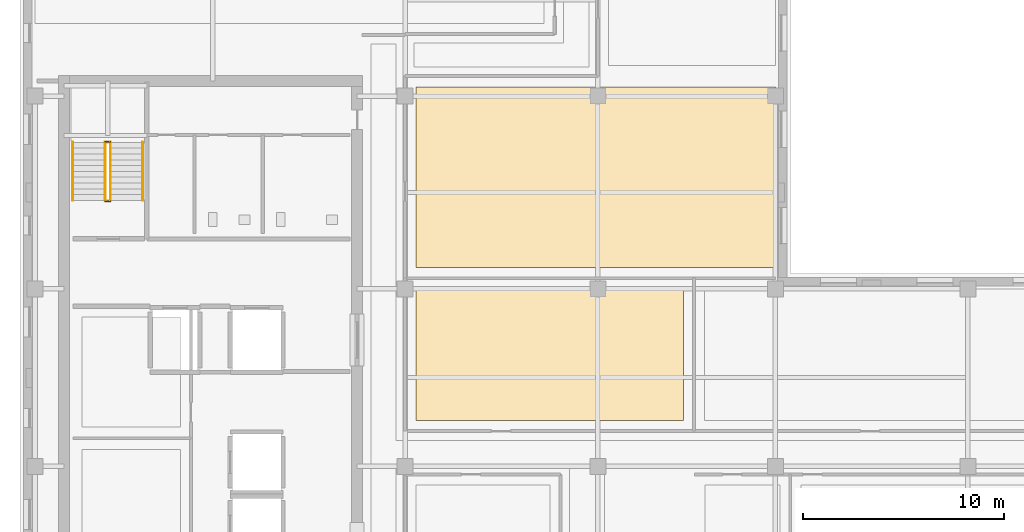
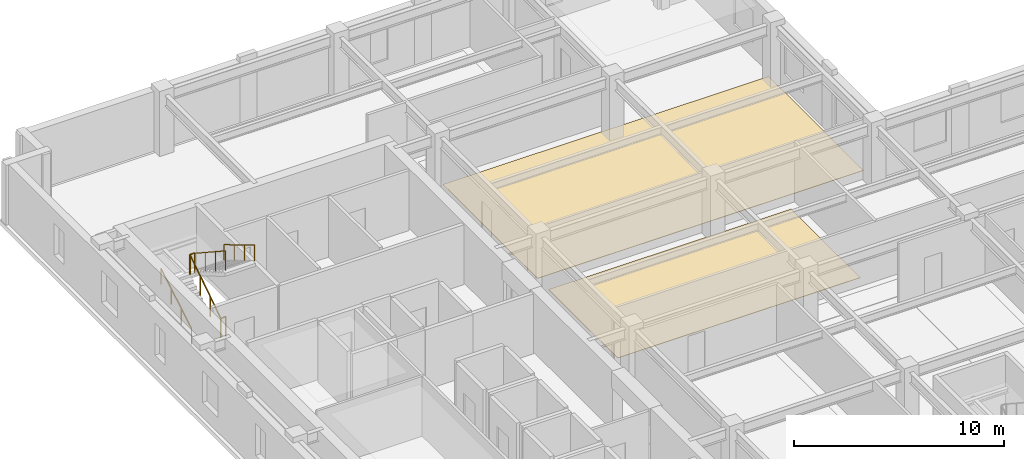
# One storey, part 9 of 11: 6 railings, 2 coverings.
"""IFC4 building model written with IfcOpenShell, lengths in metres."""

from ifc_helpers import new_model, si_unit, direction, frame, origin, origin_2d, place, context, subcontext, project, spatial, polyline, circle, outline, extrude, material, layer, layer_set, type_object, element, save


model = new_model("IFC4")

# Units and contexts
model_context = context("Model", 3, precision=1e-05, world=origin(), true_north=direction((0.0, 1.0)))
body_context = subcontext(model_context, "Body", "Model", "MODEL_VIEW")
ifc_project = project(units=[si_unit("LENGTHUNIT", "METRE"), si_unit("AREAUNIT", "SQUARE_METRE"), si_unit("VOLUMEUNIT", "CUBIC_METRE"), si_unit("PLANEANGLEUNIT", "RADIAN"), si_unit("MASSUNIT", "GRAM", prefix="KILO")], contexts=[model_context])

# Site, building, storey
site_placement = place(None, origin())
site = spatial("IfcSite", under=ifc_project, at=site_placement, CompositionType="ELEMENT")
building_placement = place(site_placement, origin())
building = spatial("IfcBuilding", under=site, at=building_placement, Name="Norrvale University Quadrangle", CompositionType="ELEMENT")
storey_placement = place(building_placement, frame((0.0, 0.0, 252.199951171875)))
storey = spatial("IfcBuildingStorey", under=building, at=storey_placement, Name="L64", CompositionType="ELEMENT", Elevation=252.199951171875)

# Coverings
ifc_material_1 = material(Name="Polished Terrazzo Flooring")
ifc_layer = layer(ifc_material_1, 0.02490234375, Name="Polished Terrazzo Flooring")
ifc_layer_set = layer_set([ifc_layer], Name="Polished Terrazzo Flooring")
covering_type = type_object("IfcCoveringType", Name="Covering Terrazzo Floor 30", PredefinedType="FLOORING", material=ifc_layer_set)
covering_1_placement = place(storey_placement, origin())
element("IfcCovering", 1, at=covering_1_placement, inside=storey, type_object=covering_type, Name="Terrazzo Flooring RM-L64-ME01", PredefinedType="FLOORING", context=body_context, shape_type="SweptSolid", body=[
    extrude(outline(polyline([(19.72998046875, 37.64990234375), (33.070068359375, 37.64990234375), (33.070068359375, 31.080078125), (19.72998046875, 31.080078125), (19.72998046875, 37.64990234375)])), origin(), (0.0, 0.0, 1.0), 0.025146484375),
])
covering_2_placement = place(storey_placement, origin())
element("IfcCovering", 2, at=covering_2_placement, inside=storey, type_object=covering_type, Name="Terrazzo Flooring RM-L64-MNE01", PredefinedType="FLOORING", context=body_context, shape_type="SweptSolid", body=[
    extrude(outline(polyline([(19.72998046875, 47.719970703125), (37.64990234375, 47.719970703125), (37.64990234375, 38.7099609375), (19.72998046875, 38.7099609375), (19.72998046875, 47.719970703125)])), origin(), (0.0, 0.0, 1.0), 0.025146484375),
])

# Railings
ifc_material_2 = material(Name="Steel 350W Painted Balustrade", Category="steel")
railing_type_1 = type_object("IfcRailingType", Name="Railing Stair Guard 1100", PredefinedType="GUARDRAIL", material=ifc_material_2)
for number, where, name in (
    (3, (4.239990234375, 42.02001953125, 0.0), "Stair Floor Well Guard ST-02 L64"),
    (4, (4.239990234375, 44.97998046875, 1.900146484375), "Stair Mid-Landing Slot Guard ST-02 L64"),
):
    element("IfcRailing", number, at=place(storey_placement, frame(where)), inside=storey, type_object=railing_type_1, Name=name, PredefinedType="GUARDRAIL", context=body_context, shape_type="SweptSolid", body=[
        extrude(circle(Radius=0.02392578125, at=origin_2d()), frame((0.0, 0.0, 1.1259765625), z_axis=(1.0, 0.0, 0.0), x_axis=(0.0, 1.0, 0.0)), (0.0, 0.0, 1.0), 0.27001953125),
        extrude(circle(Radius=0.02099609375, at=origin_2d()), origin(), (0.0, 0.0, 1.0), 1.101806640625),
        extrude(circle(Radius=0.02099609375, at=origin_2d()), frame((0.27001953125, 0.0, 0.0)), (0.0, 0.0, 1.0), 1.101806640625),
    ])
railing_1_placement = place(storey_placement, frame((4.239990234375, 42.050048828125, 0.0)))
element("IfcRailing", 5, at=railing_1_placement, inside=storey, type_object=railing_type_1, Name="Stair Lower Flight Inner Guard ST-02 L64", PredefinedType="GUARDRAIL", context=body_context, shape_type="SweptSolid", body=[
    extrude(circle(Radius=0.02392578125, at=origin_2d()), frame((0.0, 0.0, 1.1259765625), z_axis=(0.0, 0.836433300813, 0.548068730445), x_axis=(-1.0, 0.0, 0.0)), (0.0, 0.0, 1.0), 3.467041015625),
    extrude(circle(Radius=0.02099609375, at=origin_2d()), origin(), (0.0, 0.0, 1.0), 1.101806640625),
    extrude(circle(Radius=0.02099609375, at=origin_2d()), frame((0.0, 0.966552734375, 0.63330078125)), (0.0, 0.0, 1.0), 1.101806640625),
    extrude(circle(Radius=0.02099609375, at=origin_2d()), frame((0.0, 1.933349609375, 1.266845703125)), (0.0, 0.0, 1.0), 1.101806640625),
    extrude(circle(Radius=0.02099609375, at=origin_2d()), frame((0.0, 2.89990234375, 1.900146484375)), (0.0, 0.0, 1.0), 1.101806640625),
])
railing_2_placement = place(storey_placement, frame((4.510009765625, 44.949951171875, 1.900146484375)))
element("IfcRailing", 6, at=railing_2_placement, inside=storey, type_object=railing_type_1, Name="Stair Upper Flight Inner Guard ST-02 L64", PredefinedType="GUARDRAIL", context=body_context, shape_type="SweptSolid", body=[
    extrude(circle(Radius=0.02392578125, at=origin_2d()), frame((0.0, 0.0, 1.1259765625), z_axis=(0.0, -0.836465582154, 0.548019461216), x_axis=(1.0, 0.0, 0.0)), (0.0, 0.0, 1.0), 3.466796875),
    extrude(circle(Radius=0.02099609375, at=origin_2d()), origin(), (0.0, 0.0, 1.0), 1.101806640625),
    extrude(circle(Radius=0.02099609375, at=origin_2d()), frame((0.0, -0.966552734375, 0.63330078125)), (0.0, 0.0, 1.0), 1.101806640625),
    extrude(circle(Radius=0.02099609375, at=origin_2d()), frame((0.0, -1.933349609375, 1.2666015625)), (0.0, 0.0, 1.0), 1.101806640625),
    extrude(circle(Radius=0.02099609375, at=origin_2d()), frame((0.0, -2.89990234375, 1.89990234375)), (0.0, 0.0, 1.0), 1.101806640625),
])
ifc_material_3 = material(Name="Stainless Steel 316L Handrail", Category="steel")
railing_type_2 = type_object("IfcRailingType", Name="Railing Stair Handrail 920", PredefinedType="HANDRAIL", material=ifc_material_3)
railing_3_placement = place(storey_placement, frame((2.639892578125, 42.050048828125, 0.1728515625)))
element("IfcRailing", 7, at=railing_3_placement, inside=storey, type_object=railing_type_2, Name="Stair Lower Flight Handrail ST-02 L64", PredefinedType="HANDRAIL", context=body_context, shape_type="SweptSolid", body=[
    extrude(circle(Radius=0.02392578125, at=origin_2d()), frame((0.0, 0.0, 0.89599609375), z_axis=(0.0, 0.859141464434, 0.511738159696), x_axis=(-1.0, 0.0, 0.0)), (0.0, 0.0, 1.0), 3.375244140625),
    extrude(circle(Radius=0.02099609375, at=origin_2d()), origin(), (0.0, 0.0, 1.0), 0.871826171875),
    extrude(circle(Radius=0.02099609375, at=origin_2d()), frame((0.0, 0.966552734375, 0.57568359375)), (0.0, 0.0, 1.0), 0.871826171875),
    extrude(circle(Radius=0.02099609375, at=origin_2d()), frame((0.0, 1.933349609375, 1.151611328125)), (0.0, 0.0, 1.0), 0.871826171875),
    extrude(circle(Radius=0.02099609375, at=origin_2d()), frame((0.0, 2.89990234375, 1.727294921875)), (0.0, 0.0, 1.0), 0.871826171875),
])
railing_4_placement = place(storey_placement, frame((6.110107421875, 44.949951171875, 2.07275390625)))
element("IfcRailing", 8, at=railing_4_placement, inside=storey, type_object=railing_type_2, Name="Stair Upper Flight Handrail ST-02 L64", PredefinedType="HANDRAIL", context=body_context, shape_type="SweptSolid", body=[
    extrude(circle(Radius=0.02392578125, at=origin_2d()), frame((0.0, 0.0, 0.89599609375), z_axis=(0.0, -0.859141464434, 0.511738159696), x_axis=(1.0, 0.0, 0.0)), (0.0, 0.0, 1.0), 3.375244140625),
    extrude(circle(Radius=0.02099609375, at=origin_2d()), origin(), (0.0, 0.0, 1.0), 0.871826171875),
    extrude(circle(Radius=0.02099609375, at=origin_2d()), frame((0.0, -0.966552734375, 0.57568359375)), (0.0, 0.0, 1.0), 0.871826171875),
    extrude(circle(Radius=0.02099609375, at=origin_2d()), frame((0.0, -1.933349609375, 1.151611328125)), (0.0, 0.0, 1.0), 0.871826171875),
    extrude(circle(Radius=0.02099609375, at=origin_2d()), frame((0.0, -2.89990234375, 1.727294921875)), (0.0, 0.0, 1.0), 0.871826171875),
])

save(model, "model.ifc")
